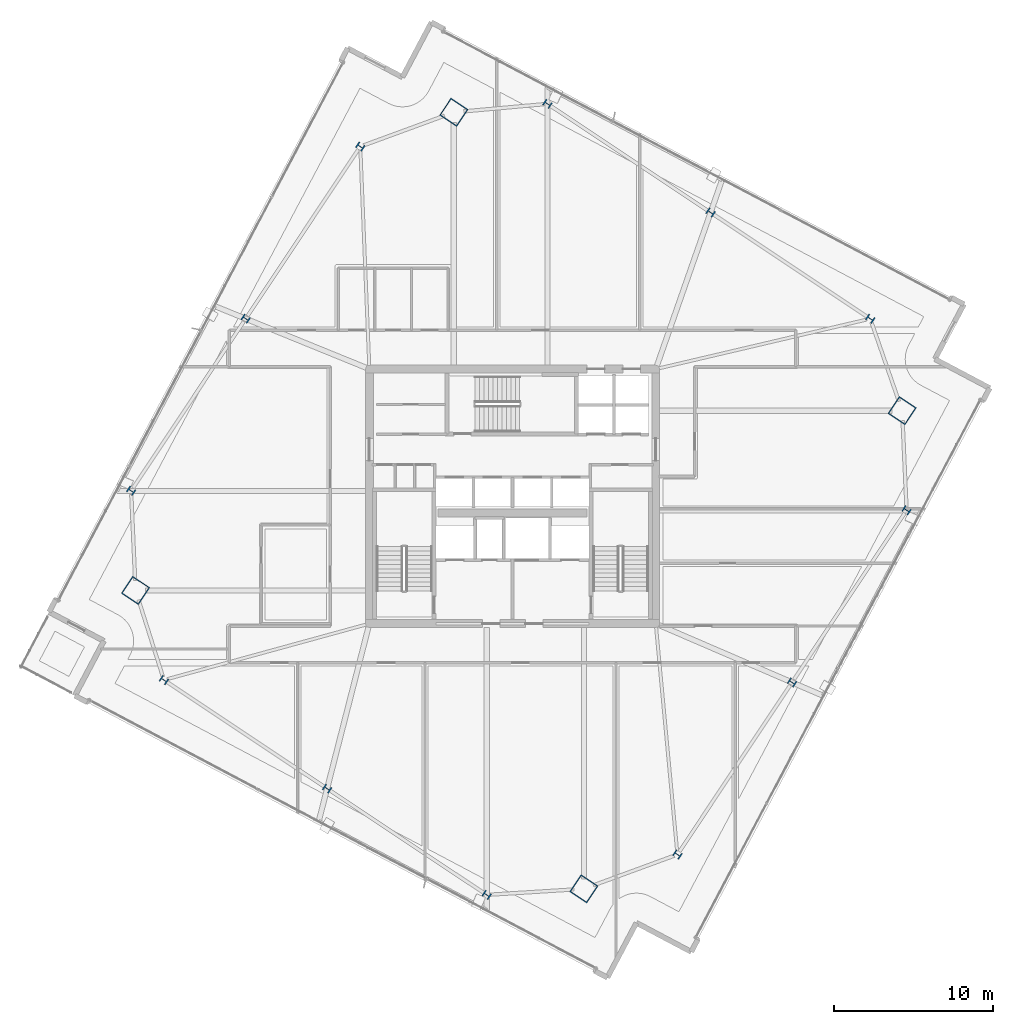
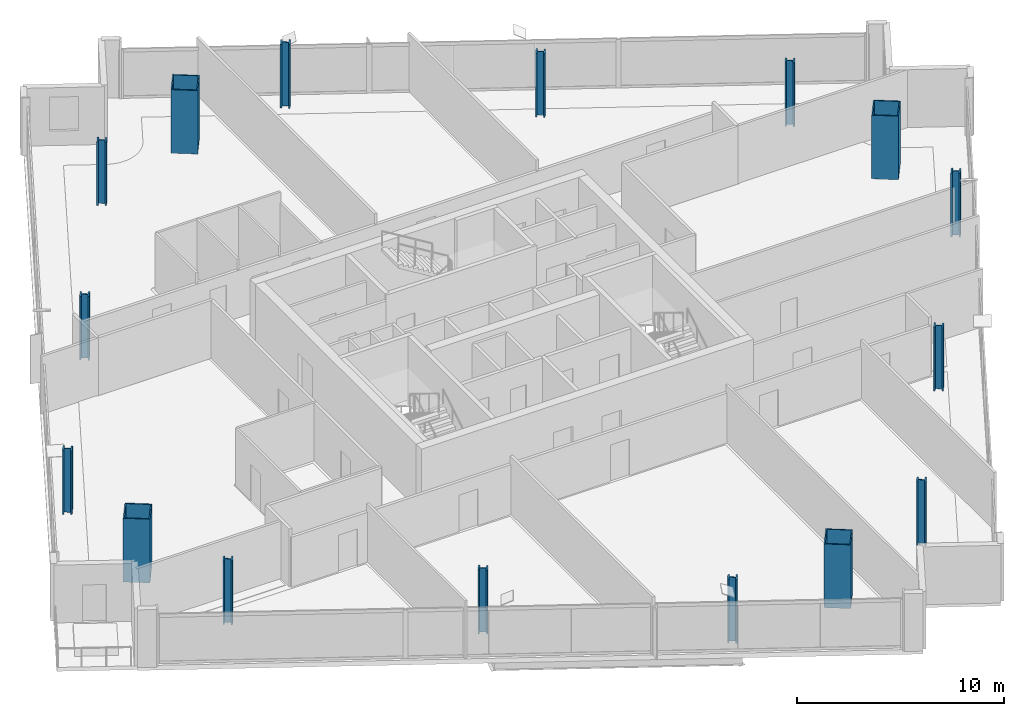
# One storey, part 1 of 28: 16 columns.
"""IFC4 building model written with IfcOpenShell, lengths in metres."""

from ifc_helpers import new_model, si_unit, direction, frame, origin, origin_2d, place, context, subcontext, project, spatial, hollow_rectangle, i_section, extrude, material, material_profile, profile_set, type_object, element, save


model = new_model("IFC4")

# Units and contexts
model_context = context("Model", 3, precision=1e-05, world=origin(), true_north=direction((0.0, 1.0)))
body_context = subcontext(model_context, "Body", "Model", "MODEL_VIEW")
ifc_project = project(units=[si_unit("LENGTHUNIT", "METRE"), si_unit("AREAUNIT", "SQUARE_METRE"), si_unit("VOLUMEUNIT", "CUBIC_METRE"), si_unit("PLANEANGLEUNIT", "RADIAN"), si_unit("MASSUNIT", "GRAM", prefix="KILO")], contexts=[model_context])

# Site, building, storey
site_placement = place(None, origin())
site = spatial("IfcSite", under=ifc_project, at=site_placement, CompositionType="ELEMENT")
building_placement = place(site_placement, origin())
building = spatial("IfcBuilding", under=site, at=building_placement, Name="Haldenkirk Collegiate Tower", CompositionType="ELEMENT")
storey_placement = place(building_placement, frame((0.0, 0.0, 235.949951171875)))
storey = spatial("IfcBuildingStorey", under=building, at=storey_placement, Name="L59", CompositionType="ELEMENT", Elevation=235.949951171875)

# Columns
ifc_material_1 = material(Name="Steel ASTM A913 Grade 65", Category="steel")
ifc_material_profile_1 = material_profile(ifc_material_1, i_section(OverallWidth=0.424072265625, OverallDepth=0.47412109375, WebThickness=0.047607421875, FlangeThickness=0.0771484375, at=origin_2d()), Name="W14X426")
ifc_profile_set_1 = profile_set([ifc_material_profile_1], Name="Steel ASTM A913 Grade 65")
column_type_1 = type_object("IfcColumnType", Name="COL-INT-W14X426", PredefinedType="COLUMN", material=ifc_profile_set_1)
for number, where, z_axis, x_axis, name in (
    (1, (46.363037109375, 3.48974609375, 0.0), (0.0, 0.0, 1.0), (0.554118199338, 0.832437998389, 0.0), "L59 perimeter gravity column PC-S1"),
    (2, (53.564453125, 14.30810546875, 0.0), (0.0, 0.0, 1.0), (0.554118199338, 0.832437998389, 0.0), "L59 perimeter gravity column PC-S2"),
    (3, (60.765869140625, 25.12646484375, 0.0), (0.0, 0.0, 1.0), (0.554118199338, 0.832437998389, 0.0), "L59 perimeter gravity column PC-S3"),
    (4, (58.48095703125, 37.16357421875, 0.0), (0.0, 0.0, 1.0), (0.554118199338, 0.832437998389, 0.0), "L59 perimeter gravity column PC-E1"),
    (5, (48.447509765625, 43.84228515625, 0.0), (0.0, 0.0, 1.0), (0.554118199338, 0.832437998389, 0.0), "L59 perimeter gravity column PC-E2"),
    (6, (38.192626953125, 50.66845703125, 0.0), (0.0, 0.0, 1.0), (0.554118199338, 0.832437998389, 0.0), "L59 perimeter gravity column PC-E3"),
    (7, (26.427734375, 47.98388671875, 0.0), (0.0, 0.0, 1.0), (0.554118199338, 0.832437998389, 0.0), "L59 perimeter gravity column PC-N1"),
    (8, (19.226318359375, 37.16552734375, 0.0), (0.0, 0.0, 1.0), (0.554118199338, 0.832437998389, 0.0), "L59 perimeter gravity column PC-N2"),
    (9, (12.025146484375, 26.34716796875, 0.0), (0.0, 0.0, 1.0), (0.554118199338, 0.832437998389, 0.0), "L59 perimeter gravity column PC-N3"),
    (10, (14.08837890625, 14.45751953125, 0.0), (0.0, 0.0, 1.0), (0.554118199338, 0.832437998389, 0.0), "L59 perimeter gravity column PC-W1"),
    (11, (24.34326171875, 7.63134765625, 0.0), (0.0, 0.0, 1.0), (0.554118199338, 0.832437998389, 0.0), "L59 perimeter gravity column PC-W2"),
    (12, (34.376708984375, 0.952392578125, 0.0), (0.0, 0.0, 1.0), (0.554118199338, 0.832437998389, 0.0), "L59 perimeter gravity column PC-W3"),
):
    element("IfcColumn", number, at=place(storey_placement, frame(where, z_axis=z_axis, x_axis=x_axis)), inside=storey, type_object=column_type_1, Name=name, PredefinedType="COLUMN", context=body_context, shape_type="SweptSolid", body=[
        extrude(i_section(OverallWidth=0.424072265625, OverallDepth=0.47412109375, WebThickness=0.047607421875, FlangeThickness=0.0771484375, at=origin_2d()), origin(), (0.0, 0.0, 1.0), 3.75),
    ])
ifc_material_2 = material(Name="Steel ASTM A572 Grade 50", Category="steel")
ifc_material_profile_2 = material_profile(ifc_material_2, hollow_rectangle(XDim=1.300048828125, YDim=1.300048828125, WallThickness=0.06005859375, at=origin_2d()), Name="BOX1300X1300X60")
ifc_profile_set_2 = profile_set([ifc_material_profile_2], Name="Steel ASTM A572 Grade 50")
column_type_2 = type_object("IfcColumnType", Name="COL-MEGA-BOX1300X1300X60", PredefinedType="COLUMN", material=ifc_profile_set_2)
for number, where, z_axis, x_axis, name in (
    (13, (40.482666015625, 1.332763671875, 0.0), (0.0, 0.0, 1.0), (0.554118199338, 0.832437998389, 0.0), "L59 corner mega-column MC1"),
    (14, (60.486328125, 31.3837890625, 0.0), (0.0, 0.0, 1.0), (0.554118199338, 0.832437998389, 0.0), "L59 corner mega-column MC2"),
    (15, (32.30810546875, 50.140869140625, 0.0), (0.0, 0.0, 1.0), (0.554118199338, 0.832437998389, 0.0), "L59 corner mega-column MC3"),
    (16, (12.3046875, 20.089599609375, 0.0), (0.0, 0.0, 1.0), (0.554118199338, 0.832437998389, 0.0), "L59 corner mega-column MC4"),
):
    element("IfcColumn", number, at=place(storey_placement, frame(where, z_axis=z_axis, x_axis=x_axis)), inside=storey, type_object=column_type_2, Name=name, PredefinedType="COLUMN", context=body_context, shape_type="SweptSolid", body=[
        extrude(hollow_rectangle(XDim=1.300048828125, YDim=1.300048828125, WallThickness=0.06005859375, at=origin_2d()), origin(), (0.0, 0.0, 1.0), 3.75),
    ])

save(model, "model.ifc")
